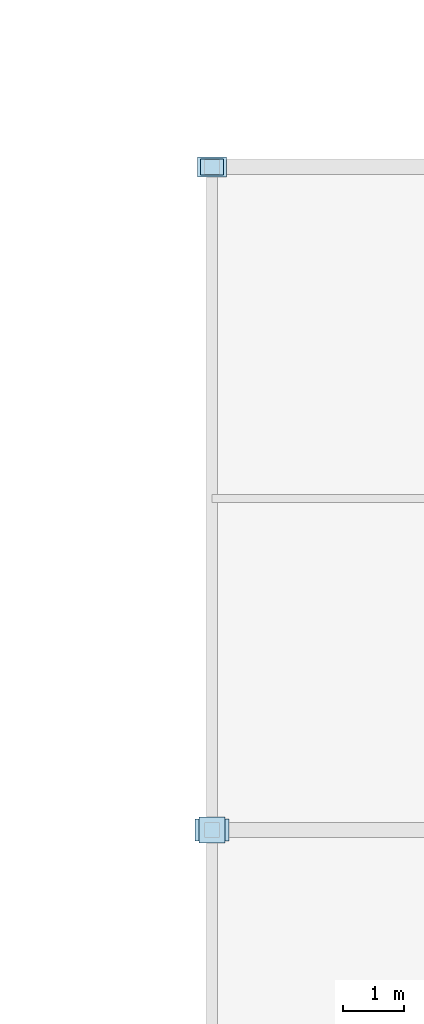
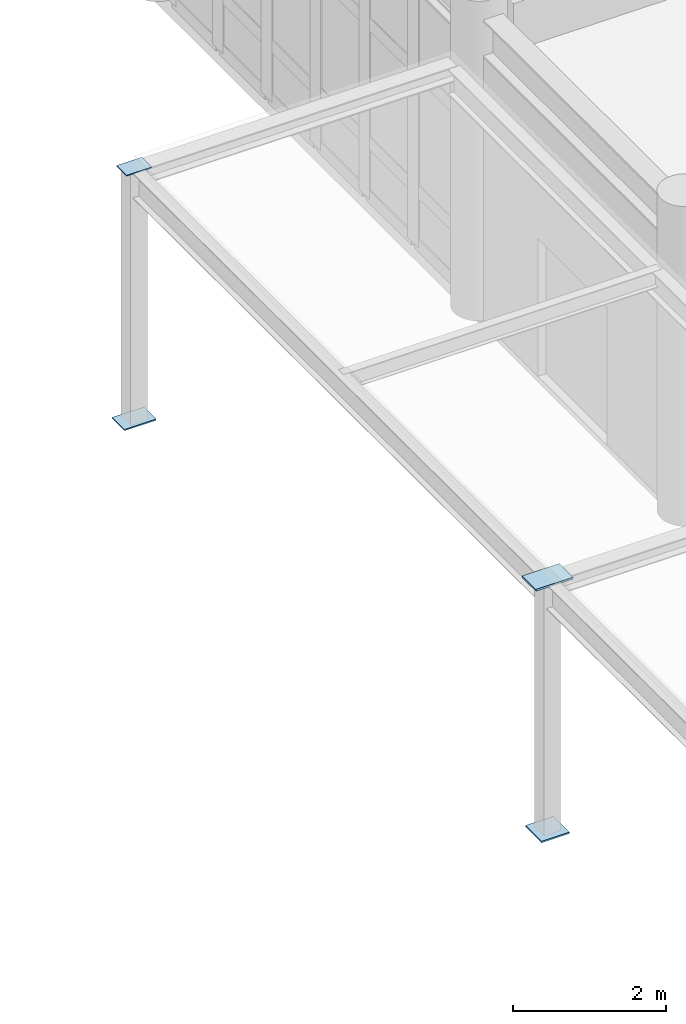
# One storey, part 53 of 80: 4 plates.
"""IFC4 building model written with IfcOpenShell, lengths in metres."""

from ifc_helpers import new_model, si_unit, direction, frame, origin, origin_2d, place, context, subcontext, project, spatial, rectangle, extrude, material, layer, layer_set, type_object, element, save


model = new_model("IFC4")

# Units and contexts
model_context = context("Model", 3, precision=1e-05, world=origin(), true_north=direction((0.0, 1.0)))
body_context = subcontext(model_context, "Body", "Model", "MODEL_VIEW")
ifc_project = project(units=[si_unit("LENGTHUNIT", "METRE"), si_unit("AREAUNIT", "SQUARE_METRE"), si_unit("VOLUMEUNIT", "CUBIC_METRE"), si_unit("PLANEANGLEUNIT", "RADIAN"), si_unit("MASSUNIT", "GRAM", prefix="KILO")], contexts=[model_context])

# Site, building, storey
site_placement = place(None, origin())
site = spatial("IfcSite", under=ifc_project, at=site_placement, CompositionType="ELEMENT")
building_placement = place(site_placement, origin())
building = spatial("IfcBuilding", under=site, at=building_placement, Name="Krzemoval Escarpment Law Courts", CompositionType="ELEMENT")
storey_placement = place(building_placement, origin())
storey = spatial("IfcBuildingStorey", under=building, at=storey_placement, Name="L00", CompositionType="ELEMENT", Elevation=0.0)

# Plates
ifc_material_1 = material(Name="Steel S355", Category="steel")
ifc_layer_1 = layer(ifc_material_1, 0.02392578125)
ifc_layer_set_1 = layer_set([ifc_layer_1], Name="Steel S355")
plate_type_1 = type_object("IfcPlateType", Name="PLT-FLG-24", PredefinedType="USERDEFINED", material=ifc_layer_set_1)
plate_1_placement = place(storey_placement, frame((3.199951171875, 74.39990234375, -0.011962890625), z_axis=(0.0, 0.0, 1.0), x_axis=(1.0, 0.0, 0.0)))
element("IfcPlate", 1, at=plate_1_placement, inside=storey, type_object=plate_type_1, Name="Gusset and End-Cap Plate ECP-0030", ObjectType="FLANGE_PLATE", PredefinedType="USERDEFINED", context=body_context, shape_type="SweptSolid", body=[
    extrude(rectangle(XDim=0.419921875, YDim=0.419921875, at=origin_2d()), origin(), (0.0, 0.0, 1.0), 0.02392578125),
])
ifc_material_2 = material(Name="Steel S355", Category="steel")
ifc_layer_2 = layer(ifc_material_2, 0.01611328125)
ifc_layer_set_2 = layer_set([ifc_layer_2], Name="Steel S355")
plate_type_2 = type_object("IfcPlateType", Name="PLT-GUS-16", PredefinedType="USERDEFINED", material=ifc_layer_set_2)
plate_2_placement = place(storey_placement, frame((3.199951171875, 85.199951171875, 4.011962890625), z_axis=(0.0, 0.0, 1.0), x_axis=(1.0, 0.0, 0.0)))
element("IfcPlate", 2, at=plate_2_placement, inside=storey, type_object=plate_type_2, Name="Gusset and End-Cap Plate ECP-0033", ObjectType="GUSSET_PLATE", PredefinedType="USERDEFINED", context=body_context, shape_type="SweptSolid", body=[
    extrude(rectangle(XDim=0.3798828125, YDim=0.260009765625, at=origin_2d()), origin(), (0.0, 0.0, 1.0), 0.01611328125),
])
ifc_material_3 = material(Name="Steel S355", Category="steel")
ifc_layer_3 = layer(ifc_material_3, 0.02001953125)
ifc_layer_set_3 = layer_set([ifc_layer_3], Name="Steel S355")
plate_type_3 = type_object("IfcPlateType", Name="PLT-GUS-20", PredefinedType="USERDEFINED", material=ifc_layer_set_3)
plate_3_placement = place(storey_placement, frame((3.199951171875, 85.199951171875, -0.010009765625), z_axis=(0.0, 0.0, 1.0), x_axis=(1.0, 0.0, 0.0)))
element("IfcPlate", 3, at=plate_3_placement, inside=storey, type_object=plate_type_3, Name="Gusset and End-Cap Plate ECP-0032", ObjectType="GUSSET_PLATE", PredefinedType="USERDEFINED", context=body_context, shape_type="SweptSolid", body=[
    extrude(rectangle(XDim=0.47998046875, YDim=0.320068359375, at=origin_2d()), origin(), (0.0, 0.0, 1.0), 0.02001953125),
])
ifc_material_4 = material(Name="Steel S355", Category="steel")
ifc_layer_4 = layer(ifc_material_4, 0.030029296875)
ifc_layer_set_4 = layer_set([ifc_layer_4], Name="Steel S355")
plate_type_4 = type_object("IfcPlateType", Name="PLT-GUS-30", PredefinedType="USERDEFINED", material=ifc_layer_set_4)
plate_4_placement = place(storey_placement, frame((3.199951171875, 74.39990234375, 4.0048828125), z_axis=(0.0, 0.0, 1.0), x_axis=(1.0, 0.0, 0.0)))
element("IfcPlate", 4, at=plate_4_placement, inside=storey, type_object=plate_type_4, Name="Gusset and End-Cap Plate ECP-0031", ObjectType="GUSSET_PLATE", PredefinedType="USERDEFINED", context=body_context, shape_type="SweptSolid", body=[
    extrude(rectangle(XDim=0.56005859375, YDim=0.360107421875, at=origin_2d()), origin(), (0.0, 0.0, 1.0), 0.030029296875),
])

save(model, "model.ifc")
